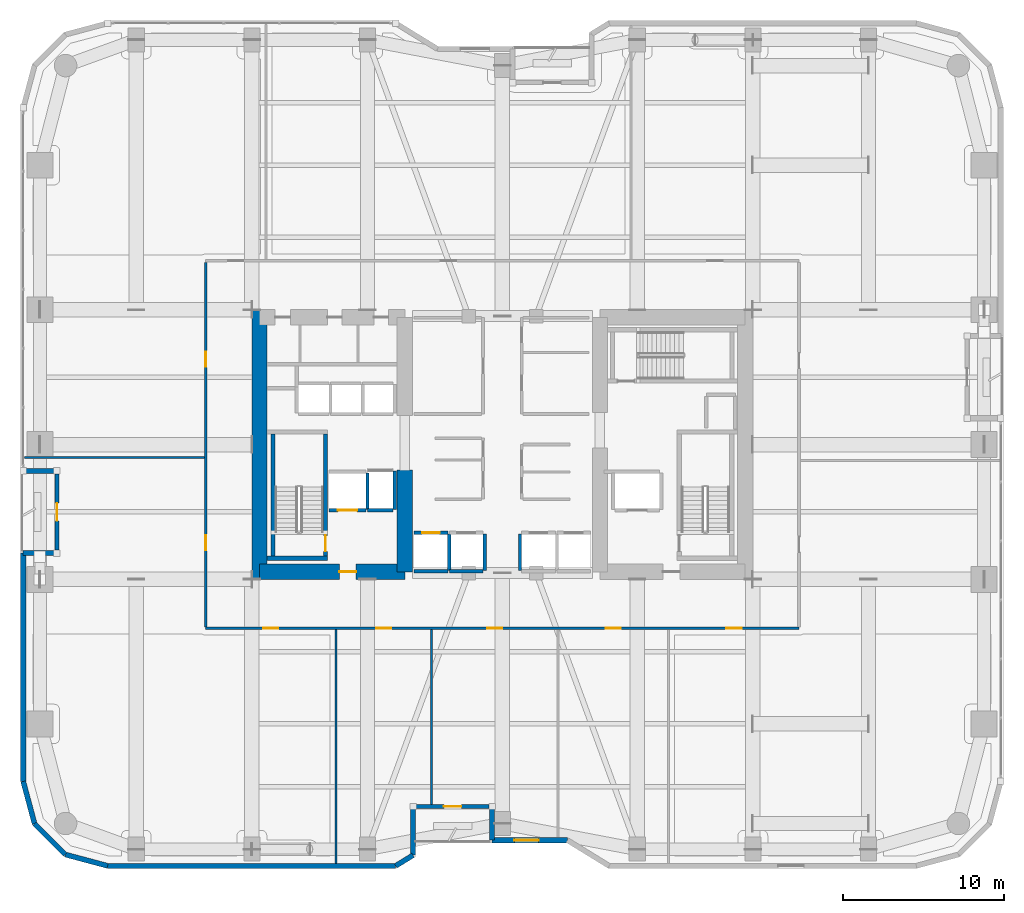
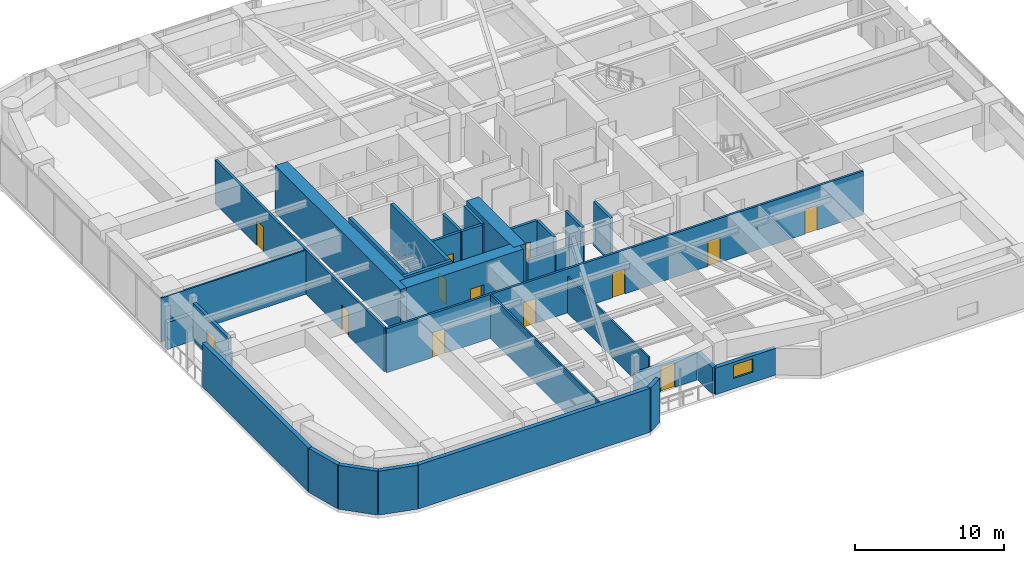
# One storey, part 22 of 28: 34 walls, 13 doors, 1 window, 14 openings.
"""IFC4 building model written with IfcOpenShell, lengths in metres."""

from ifc_helpers import new_model, si_unit, direction, frame, frame_2d, origin, place, context, subcontext, project, spatial, rectangle, extrude, material, layer, layer_set, type_object, element, fill, save


model = new_model("IFC4")

# Units and contexts
model_context = context("Model", 3, precision=1e-05, world=origin(), true_north=direction((0.0, 1.0)))
body_context = subcontext(model_context, "Body", "Model", "MODEL_VIEW")
ifc_project = project(units=[si_unit("LENGTHUNIT", "METRE"), si_unit("AREAUNIT", "SQUARE_METRE"), si_unit("VOLUMEUNIT", "CUBIC_METRE"), si_unit("PLANEANGLEUNIT", "RADIAN"), si_unit("MASSUNIT", "GRAM", prefix="KILO")], contexts=[model_context])

# Site, building, storey
site_placement = place(None, origin())
site = spatial("IfcSite", under=ifc_project, at=site_placement, CompositionType="ELEMENT")
building_placement = place(site_placement, origin())
building = spatial("IfcBuilding", under=site, at=building_placement, Name="Kiyonajd Concourse Tower", CompositionType="ELEMENT")
storey_placement = place(building_placement, frame((0.0, 0.0, 76.800048828125)))
storey = spatial("IfcBuildingStorey", under=building, at=storey_placement, Name="L20", CompositionType="ELEMENT", Elevation=76.800048828125)

# Walls
ifc_material_1 = material(Name="Concrete C80/95", Category="concrete")
ifc_layer_1 = layer(ifc_material_1, 0.949951171875)
ifc_layer_set_1 = layer_set([ifc_layer_1], Name="Concrete C80/95")
wall_type_1 = type_object("IfcWallType", Name="WL-CORE-950", PredefinedType="SHEAR", material=ifc_layer_set_1)
wall_1_placement = place(storey_placement, frame((32.875, 27.60009765625, 0.0), z_axis=(0.0, 0.0, 1.0), x_axis=(0.0, 1.0, 0.0)))
element("IfcWall", 1, at=wall_1_placement, inside=storey, type_object=wall_type_1, Name="L20 West Core Outer Shear Wall", PredefinedType="SHEAR", context=body_context, shape_type="SweptSolid", body=[
    extrude(rectangle(XDim=16.7998046875, YDim=0.949951171875, at=frame_2d((8.39990234375, 0.0))), origin(), (0.0, 0.0, 1.0), 3.89990234375),
])
wall_2_placement = place(storey_placement, frame((41.925048828125, 28.074951171875, 0.0), z_axis=(0.0, 0.0, 1.0), x_axis=(0.0, 1.0, 0.0)))
element("IfcWall", 2, at=wall_2_placement, inside=storey, type_object=wall_type_1, Name="L20 West Core Inner South Shear Wall", PredefinedType="SHEAR", context=body_context, shape_type="SweptSolid", body=[
    extrude(rectangle(XDim=6.324951171875, YDim=0.949951171875, at=frame_2d((3.16259765625, 0.0))), origin(), (0.0, 0.0, 1.0), 3.89990234375),
])

# Wall, opening, door
wall_3_placement = place(storey_placement, frame((32.875, 28.074951171875, 0.0), z_axis=(0.0, 0.0, 1.0), x_axis=(1.0, 0.0, 0.0)))
wall_3 = element("IfcWall", 3, at=wall_3_placement, inside=storey, type_object=wall_type_1, Name="L20 West Core South Shear Wall", PredefinedType="SHEAR", context=body_context, shape_type="SweptSolid", body=[
    extrude(rectangle(XDim=9.050048828125, YDim=0.949951171875, at=frame_2d((4.52490234375, 0.0))), origin(), (0.0, 0.0, 1.0), 3.89990234375),
])
opening_1_placement = place(wall_3_placement, frame((4.97509765625, 0.0, 0.0)))
opening_1 = element("IfcOpeningElement", 4, at=opening_1_placement, cuts=wall_3, Name="Opening DF5", PredefinedType="OPENING", context=body_context, shape_type="SweptSolid", body=[
    extrude(rectangle(XDim=1.050048828125, YDim=2.0400390625, at=frame_2d((0.52490234375, 1.02001953125))), frame((0.0, 0.48486328125, 0.0), z_axis=(0.0, -1.0, 0.0), x_axis=(1.0, 0.0, 0.0)), (0.0, 0.0, 1.0), 0.969970703125),
])
ifc_material_2 = material(Name="Brushed Stainless Steel Cab Assembly", Category="steel")
door_type_1 = type_object("IfcDoorType", Name="DR-FD45-1050", OperationType="NOTDEFINED", PredefinedType="DOOR", material=ifc_material_2)
door_1_placement = place(opening_1_placement, origin())
door_1 = element("IfcDoor", 5, at=door_1_placement, inside=storey, type_object=door_type_1, Name="L20 Firefighting Lift Lobby W Smoke Door", OperationType="SINGLE_SWING_LEFT", OverallHeight=2.0400390625, OverallWidth=1.050048828125, PredefinedType="DOOR", context=body_context, shape_type="SweptSolid", body=[
    extrude(rectangle(XDim=1.050048828125, YDim=2.0400390625, at=frame_2d((0.52490234375, 1.02001953125))), frame((0.0, 0.02490234375, 0.0), z_axis=(0.0, -1.0, 0.0), x_axis=(1.0, 0.0, 0.0)), (0.0, 0.0, 1.0), 0.050048828125),
])
fill(opening_1, door_1)

# Walls
ifc_material_3 = material(Name="Precast concrete C50/60", Category="concrete")
ifc_layer_2 = layer(ifc_material_3, 0.320068359375)
ifc_layer_set_2 = layer_set([ifc_layer_2], Name="Precast concrete C50/60")
wall_type_2 = type_object("IfcWallType", Name="WL-EXT-320", PredefinedType="SOLIDWALL", material=ifc_layer_set_2)
wall_4_placement = place(storey_placement, frame((18.866455078125, 12.3828125, 0.0), z_axis=(0.0, 0.0, 1.0), x_axis=(-0.25869736047, 0.965958423373, 0.0)))
element("IfcWall", 6, at=wall_4_placement, inside=storey, type_object=wall_type_2, Name="L20 Exterior Concrete Frame Wall 00", PredefinedType="SOLIDWALL", context=body_context, shape_type="SweptSolid", body=[
    extrude(rectangle(XDim=2.731201171875, YDim=0.320068359375, at=frame_2d((1.36572265625, 0.0))), origin(), (0.0, 0.0, 1.0), 3.599853515625),
])
wall_5_placement = place(storey_placement, frame((18.159912109375, 15.02099609375, 0.0), z_axis=(0.0, 0.0, 1.0), x_axis=(0.0, 1.0, 0.0)))
element("IfcWall", 7, at=wall_5_placement, inside=storey, type_object=wall_type_2, Name="L20 Exterior Concrete Frame Wall 01", PredefinedType="SOLIDWALL", context=body_context, shape_type="SweptSolid", body=[
    extrude(rectangle(XDim=14.218994140625, YDim=0.320068359375, at=frame_2d((7.109375, 0.0))), origin(), (0.0, 0.0, 1.0), 3.599853515625),
])
for number, where, z_axis, x_axis, name in (
    (8, (18.159912109375, 29.239990234375, 0.0), (0.0, 0.0, 1.0), (1.0, 0.0, 0.0), "L20 Exterior Concrete Frame Wall 02"),
    (9, (20.260009765625, 34.360107421875, 0.0), (0.0, 0.0, 1.0), (-1.0, 0.0, 0.0), "L20 Exterior Concrete Frame Wall 04"),
):
    element("IfcWall", number, at=place(storey_placement, frame(where, z_axis=z_axis, x_axis=x_axis)), inside=storey, type_object=wall_type_2, Name=name, PredefinedType="SOLIDWALL", context=body_context, shape_type="SweptSolid", body=[
        extrude(rectangle(XDim=2.10009765625, YDim=0.320068359375, at=frame_2d((1.050048828125, 0.0))), origin(), (0.0, 0.0, 1.0), 2.18505859375),
    ])

# Wall, opening, window
wall_6_placement = place(storey_placement, frame((52.04541015625, 11.360107421875, 0.0), z_axis=(0.0, 0.0, 1.0), x_axis=(-1.0, 0.0, 0.0)))
wall_6 = element("IfcWall", 10, at=wall_6_placement, inside=storey, type_object=wall_type_2, Name="L20 Exterior Concrete Frame Wall 30", PredefinedType="SOLIDWALL", context=body_context, shape_type="SweptSolid", body=[
    extrude(rectangle(XDim=4.685302734375, YDim=0.320068359375, at=frame_2d((2.3427734375, 0.0))), origin(), (0.0, 0.0, 1.0), 2.18505859375),
])
opening_2_placement = place(wall_6_placement, frame((1.794921875, 0.0, 0.85009765625)))
opening_2 = element("IfcOpeningElement", 11, at=opening_2_placement, cuts=wall_6, Name="Opening WN2", PredefinedType="OPENING", context=body_context, shape_type="SweptSolid", body=[
    extrude(rectangle(XDim=1.5, YDim=1.10009765625, at=frame_2d((0.75, 0.550048828125))), frame((0.0, 0.169921875, 0.0), z_axis=(0.0, -1.0, 0.0), x_axis=(1.0, 0.0, 0.0)), (0.0, 0.0, 1.0), 0.340087890625),
])
ifc_material_4 = material(Name="Double Low-E Insulated Glass", Category="glass")
window_type = type_object("IfcWindowType", Name="WN-VIS-1500x1100", PartitioningType="SINGLE_PANEL", PredefinedType="WINDOW", material=ifc_material_4)
window_placement = place(opening_2_placement, origin())
window = element("IfcWindow", 12, at=window_placement, inside=storey, type_object=window_type, Name="L20 Modular Facade Vision Window 30", OverallHeight=1.10009765625, OverallWidth=1.5, PartitioningType="SINGLE_PANEL", PredefinedType="WINDOW", context=body_context, shape_type="SweptSolid", body=[
    extrude(rectangle(XDim=1.5, YDim=1.10009765625, at=frame_2d((0.75, 0.550048828125))), frame((0.0, 0.030029296875, 0.0), z_axis=(0.0, -1.0, 0.0), x_axis=(1.0, 0.0, 0.0)), (0.0, 0.0, 1.0), 0.06005859375),
])
fill(opening_2, window)

# Walls
wall_7_placement = place(storey_placement, frame((47.360107421875, 11.360107421875, 0.0), z_axis=(0.0, 0.0, 1.0), x_axis=(0.0, 1.0, 0.0)))
element("IfcWall", 13, at=wall_7_placement, inside=storey, type_object=wall_type_2, Name="L20 Exterior Concrete Frame Wall 31", PredefinedType="SOLIDWALL", context=body_context, shape_type="SweptSolid", body=[
    extrude(rectangle(XDim=2.099853515625, YDim=0.320068359375, at=frame_2d((1.0498046875, 0.0))), origin(), (0.0, 0.0, 1.0), 2.18505859375),
])
wall_8_placement = place(storey_placement, frame((42.43994140625, 13.4599609375, 0.0), z_axis=(0.0, 0.0, 1.0), x_axis=(0.0, -1.0, 0.0)))
element("IfcWall", 14, at=wall_8_placement, inside=storey, type_object=wall_type_2, Name="L20 Exterior Concrete Frame Wall 33", PredefinedType="SOLIDWALL", context=body_context, shape_type="SweptSolid", body=[
    extrude(rectangle(XDim=3.032470703125, YDim=0.320068359375, at=frame_2d((1.51611328125, 0.0))), origin(), (0.0, 0.0, 1.0), 2.18505859375),
])
wall_9_placement = place(storey_placement, frame((42.43994140625, 10.427490234375, 0.0), z_axis=(0.0, 0.0, 1.0), x_axis=(-0.851776724646, -0.523904964045, 0.0)))
element("IfcWall", 15, at=wall_9_placement, inside=storey, type_object=wall_type_2, Name="L20 Exterior Concrete Frame Wall 34", PredefinedType="SOLIDWALL", context=body_context, shape_type="SweptSolid", body=[
    extrude(rectangle(XDim=1.274169921875, YDim=0.320068359375, at=frame_2d((0.63720703125, 0.0))), origin(), (0.0, 0.0, 1.0), 3.599853515625),
])
wall_10_placement = place(storey_placement, frame((41.354736328125, 9.760009765625, 0.0), z_axis=(0.0, 0.0, 1.0), x_axis=(-1.0, 0.0, 0.0)))
element("IfcWall", 16, at=wall_10_placement, inside=storey, type_object=wall_type_2, Name="L20 Exterior Concrete Frame Wall 35", PredefinedType="SOLIDWALL", context=body_context, shape_type="SweptSolid", body=[
    extrude(rectangle(XDim=17.93359375, YDim=0.320068359375, at=frame_2d((8.966796875, 0.0))), origin(), (0.0, 0.0, 1.0), 3.599853515625),
])
wall_11_placement = place(storey_placement, frame((23.421142578125, 9.760009765625, 0.0), z_axis=(0.0, 0.0, 1.0), x_axis=(-0.965964405026, 0.25867502435, 0.0)))
element("IfcWall", 17, at=wall_11_placement, inside=storey, type_object=wall_type_2, Name="L20 Exterior Concrete Frame Wall 36", PredefinedType="SOLIDWALL", context=body_context, shape_type="SweptSolid", body=[
    extrude(rectangle(XDim=2.7314453125, YDim=0.320068359375, at=frame_2d((1.36572265625, 0.0))), origin(), (0.0, 0.0, 1.0), 3.599853515625),
])
wall_12_placement = place(storey_placement, frame((20.78271484375, 10.466552734375, 0.0), z_axis=(0.0, 0.0, 1.0), x_axis=(-0.707106781187, 0.707106781187, 0.0)))
element("IfcWall", 18, at=wall_12_placement, inside=storey, type_object=wall_type_2, Name="L20 Exterior Concrete Frame Wall 37", PredefinedType="SOLIDWALL", context=body_context, shape_type="SweptSolid", body=[
    extrude(rectangle(XDim=2.7099609375, YDim=0.320068359375, at=frame_2d((1.35498046875, 0.0))), origin(), (0.0, 0.0, 1.0), 3.599853515625),
])

# Wall, opening, door
ifc_layer_3 = layer(ifc_material_3, 0.239990234375)
ifc_layer_set_3 = layer_set([ifc_layer_3], Name="Precast concrete C50/60")
wall_type_3 = type_object("IfcWallType", Name="WL-LOG-240", PredefinedType="SOLIDWALL", material=ifc_layer_set_3)
wall_13_placement = place(storey_placement, frame((20.260009765625, 29.43505859375, 0.0), z_axis=(0.0, 0.0, 1.0), x_axis=(0.0, 1.0, 0.0)))
wall_13 = element("IfcWall", 19, at=wall_13_placement, inside=storey, type_object=wall_type_3, Name="L20 Recessed Loggia Thermal Wall LOG-W", PredefinedType="SOLIDWALL", context=body_context, shape_type="SweptSolid", body=[
    extrude(rectangle(XDim=4.72998046875, YDim=0.239990234375, at=frame_2d((2.364990234375, 0.0))), origin(), (0.0, 0.0, 1.0), 3.1220703125),
])
opening_3_placement = place(wall_13_placement, frame((1.81494140625, 0.0, 0.0)))
opening_3 = element("IfcOpeningElement", 20, at=opening_3_placement, cuts=wall_13, Name="Opening DL2", PredefinedType="OPENING", context=body_context, shape_type="SweptSolid", body=[
    extrude(rectangle(XDim=1.10009765625, YDim=2.0400390625, at=frame_2d((0.550048828125, 1.02001953125))), frame((0.0, 0.1298828125, 0.0), z_axis=(0.0, -1.0, 0.0), x_axis=(1.0, 0.0, 0.0)), (0.0, 0.0, 1.0), 0.260009765625),
])
ifc_material_5 = material(Name="Thermally Broken Anodised Aluminium", Category="aluminium")
door_type_2 = type_object("IfcDoorType", Name="DR-LOG-1100", OperationType="NOTDEFINED", PredefinedType="DOOR", material=ifc_material_5)
door_2_placement = place(opening_3_placement, origin())
door_2 = element("IfcDoor", 21, at=door_2_placement, inside=storey, type_object=door_type_2, Name="L20 Engawa Loggia Access Door LOG-W", OperationType="SINGLE_SWING_LEFT", OverallHeight=2.0400390625, OverallWidth=1.10009765625, PredefinedType="DOOR", context=body_context, shape_type="SweptSolid", body=[
    extrude(rectangle(XDim=1.10009765625, YDim=2.0400390625, at=frame_2d((0.550048828125, 1.02001953125))), frame((0.0, 0.02490234375, 0.0), z_axis=(0.0, -1.0, 0.0), x_axis=(1.0, 0.0, 0.0)), (0.0, 0.0, 1.0), 0.050048828125),
])
fill(opening_3, door_2)

wall_14_placement = place(storey_placement, frame((47.1650390625, 13.4599609375, 0.0), z_axis=(0.0, 0.0, 1.0), x_axis=(-1.0, 0.0, 0.0)))
wall_14 = element("IfcWall", 22, at=wall_14_placement, inside=storey, type_object=wall_type_3, Name="L20 Recessed Loggia Thermal Wall LOG-S", PredefinedType="SOLIDWALL", context=body_context, shape_type="SweptSolid", body=[
    extrude(rectangle(XDim=4.530029296875, YDim=0.239990234375, at=frame_2d((2.26513671875, 0.0))), origin(), (0.0, 0.0, 1.0), 2.18505859375),
])
opening_4_placement = place(wall_14_placement, frame((1.715087890625, 0.0, 0.0)))
opening_4 = element("IfcOpeningElement", 23, at=opening_4_placement, cuts=wall_14, Name="Opening DL2", PredefinedType="OPENING", context=body_context, shape_type="SweptSolid", body=[
    extrude(rectangle(XDim=1.10009765625, YDim=2.0400390625, at=frame_2d((0.550048828125, 1.02001953125))), frame((0.0, 0.1298828125, 0.0), z_axis=(0.0, -1.0, 0.0), x_axis=(1.0, 0.0, 0.0)), (0.0, 0.0, 1.0), 0.260009765625),
])
door_3_placement = place(opening_4_placement, origin())
door_3 = element("IfcDoor", 24, at=door_3_placement, inside=storey, type_object=door_type_2, Name="L20 Engawa Loggia Access Door LOG-S", OperationType="SINGLE_SWING_RIGHT", OverallHeight=2.0400390625, OverallWidth=1.10009765625, PredefinedType="DOOR", context=body_context, shape_type="SweptSolid", body=[
    extrude(rectangle(XDim=1.10009765625, YDim=2.0400390625, at=frame_2d((0.550048828125, 1.02001953125))), frame((0.0, 0.02490234375, 0.0), z_axis=(0.0, -1.0, 0.0), x_axis=(1.0, 0.0, 0.0)), (0.0, 0.0, 1.0), 0.050048828125),
])
fill(opening_4, door_3)

# Walls
ifc_material_6 = material(Name="Gypsum Board on Cold-Formed Steel Stud", Category="steel")
ifc_layer_4 = layer(ifc_material_6, 0.125)
ifc_layer_set_4 = layer_set([ifc_layer_4], Name="Gypsum Board on Cold-Formed Steel Stud")
wall_type_4 = type_object("IfcWallType", Name="WL-PART-125", PredefinedType="PARTITIONING", material=ifc_layer_set_4)
wall_15_placement = place(storey_placement, frame((37.6298828125, 9.9150390625, 0.0), z_axis=(0.0, 0.0, 1.0), x_axis=(0.0, 1.0, 0.0)))
element("IfcWall", 25, at=wall_15_placement, inside=storey, type_object=wall_type_4, Name="L20 Interior Partition Wall", PredefinedType="PARTITIONING", context=body_context, shape_type="SweptSolid", body=[
    extrude(rectangle(XDim=14.557861328125, YDim=0.125, at=frame_2d((7.27880859375, 0.0))), origin(), (0.0, 0.0, 1.0), 3.599853515625),
])
wall_16_placement = place(storey_placement, frame((43.60009765625, 13.574951171875, 0.0), z_axis=(0.0, 0.0, 1.0), x_axis=(0.0, 1.0, 0.0)))
element("IfcWall", 26, at=wall_16_placement, inside=storey, type_object=wall_type_4, Name="L20 Interior Partition Wall", PredefinedType="PARTITIONING", context=body_context, shape_type="SweptSolid", body=[
    extrude(rectangle(XDim=10.89794921875, YDim=0.125, at=frame_2d((5.448974609375, 0.0))), origin(), (0.0, 0.0, 1.0), 2.962890625),
])
wall_17_placement = place(storey_placement, frame((18.2451171875, 35.199951171875, 0.0), z_axis=(0.0, 0.0, 1.0), x_axis=(1.0, 0.0, 0.0)))
element("IfcWall", 27, at=wall_17_placement, inside=storey, type_object=wall_type_4, Name="L20 Interior Partition Wall", PredefinedType="PARTITIONING", context=body_context, shape_type="SweptSolid", body=[
    extrude(rectangle(XDim=11.19287109375, YDim=0.125, at=frame_2d((5.596435546875, 0.0))), origin(), (0.0, 0.0, 1.0), 3.599853515625),
])

# Wall, opening, door
ifc_layer_5 = layer(ifc_material_6, 0.2099609375)
ifc_layer_set_5 = layer_set([ifc_layer_5], Name="Gypsum Board on Cold-Formed Steel Stud")
wall_type_5 = type_object("IfcWallType", Name="WL-SHAFT-210", PredefinedType="PARTITIONING", material=ifc_layer_set_5)
wall_18_placement = place(storey_placement, frame((37.199951171875, 31.89990234375, 0.0), z_axis=(0.0, 0.0, 1.0), x_axis=(1.0, 0.0, 0.0)))
wall_18 = element("IfcWall", 28, at=wall_18_placement, inside=storey, type_object=wall_type_5, Name="L20 Shaft Enclosure Wall", PredefinedType="PARTITIONING", context=body_context, shape_type="SweptSolid", body=[
    extrude(rectangle(XDim=2.300048828125, YDim=0.2099609375, at=frame_2d((1.14990234375, 0.0))), origin(), (0.0, 0.0, 1.0), 3.599853515625),
])
opening_5_placement = place(wall_18_placement, frame((0.550048828125, 0.0, 0.0)))
opening_5 = element("IfcOpeningElement", 29, at=opening_5_placement, cuts=wall_18, Name="Opening LD2", PredefinedType="OPENING", context=body_context, shape_type="SweptSolid", body=[
    extrude(rectangle(XDim=1.199951171875, YDim=2.0400390625, at=frame_2d((0.60009765625, 1.02001953125))), frame((0.0, 0.114990234375, 0.0), z_axis=(0.0, -1.0, 0.0), x_axis=(1.0, 0.0, 0.0)), (0.0, 0.0, 1.0), 0.22998046875),
])
door_type_3 = type_object("IfcDoorType", Name="DR-LD-1200", OperationType="DOUBLE_DOOR_SLIDING", PredefinedType="DOOR", material=ifc_material_2)
door_4_placement = place(opening_5_placement, origin())
door_4 = element("IfcDoor", 30, at=door_4_placement, inside=storey, type_object=door_type_3, Name="L20 Lift FFL1 Sliding Landing Door", OperationType="DOUBLE_DOOR_SLIDING", OverallHeight=2.0400390625, OverallWidth=1.199951171875, PredefinedType="DOOR", context=body_context, shape_type="SweptSolid", body=[
    extrude(rectangle(XDim=1.199951171875, YDim=2.0400390625, at=frame_2d((0.60009765625, 1.02001953125))), frame((0.0, 0.02490234375, 0.0), z_axis=(0.0, -1.0, 0.0), x_axis=(1.0, 0.0, 0.0)), (0.0, 0.0, 1.0), 0.050048828125),
])
fill(opening_5, door_4)

# Walls
wall_19_placement = place(storey_placement, frame((39.60009765625, 31.9599609375, 0.0), z_axis=(0.0, 0.0, 1.0), x_axis=(0.0, 1.0, 0.0)))
element("IfcWall", 31, at=wall_19_placement, inside=storey, type_object=wall_type_5, Name="L20 Shaft Enclosure Wall", PredefinedType="PARTITIONING", context=body_context, shape_type="SweptSolid", body=[
    extrude(rectangle(XDim=2.280029296875, YDim=0.2099609375, at=frame_2d((1.14013671875, 0.0))), origin(), (0.0, 0.0, 1.0), 3.599853515625),
])
wall_20_placement = place(storey_placement, frame((39.60009765625, 31.89990234375, 0.0), z_axis=(0.0, 0.0, 1.0), x_axis=(1.0, 0.0, 0.0)))
element("IfcWall", 32, at=wall_20_placement, inside=storey, type_object=wall_type_5, Name="L20 Shaft Enclosure Wall", PredefinedType="PARTITIONING", context=body_context, shape_type="SweptSolid", body=[
    extrude(rectangle(XDim=1.599853515625, YDim=0.2099609375, at=frame_2d((0.7998046875, 0.0))), origin(), (0.0, 0.0, 1.0), 3.599853515625),
])
wall_21_placement = place(storey_placement, frame((41.300048828125, 31.9599609375, 0.0), z_axis=(0.0, 0.0, 1.0), x_axis=(0.0, 1.0, 0.0)))
element("IfcWall", 33, at=wall_21_placement, inside=storey, type_object=wall_type_5, Name="L20 Shaft Enclosure Wall", PredefinedType="PARTITIONING", context=body_context, shape_type="SweptSolid", body=[
    extrude(rectangle(XDim=2.380126953125, YDim=0.2099609375, at=frame_2d((1.18994140625, 0.0))), origin(), (0.0, 0.0, 1.0), 3.599853515625),
])

# Wall, opening, door
wall_22_placement = place(storey_placement, frame((42.5, 30.5, 0.0), z_axis=(0.0, 0.0, 1.0), x_axis=(1.0, 0.0, 0.0)))
wall_22 = element("IfcWall", 34, at=wall_22_placement, inside=storey, type_object=wall_type_5, Name="L20 Shaft Enclosure Wall", PredefinedType="PARTITIONING", context=body_context, shape_type="SweptSolid", body=[
    extrude(rectangle(XDim=2.10009765625, YDim=0.2099609375, at=frame_2d((1.050048828125, 0.0))), origin(), (0.0, 0.0, 1.0), 3.599853515625),
])
opening_6_placement = place(wall_22_placement, frame((0.5, 0.0, 0.0)))
opening_6 = element("IfcOpeningElement", 35, at=opening_6_placement, cuts=wall_22, Name="Opening LD1", PredefinedType="OPENING", context=body_context, shape_type="SweptSolid", body=[
    extrude(rectangle(XDim=1.10009765625, YDim=2.0400390625, at=frame_2d((0.550048828125, 1.02001953125))), frame((0.0, 0.114990234375, 0.0), z_axis=(0.0, -1.0, 0.0), x_axis=(1.0, 0.0, 0.0)), (0.0, 0.0, 1.0), 0.22998046875),
])
door_type_4 = type_object("IfcDoorType", Name="DR-LD-1100", OperationType="DOUBLE_DOOR_SLIDING", PredefinedType="DOOR", material=ifc_material_2)
door_5_placement = place(opening_6_placement, origin())
door_5 = element("IfcDoor", 36, at=door_5_placement, inside=storey, type_object=door_type_4, Name="L20 Lift PL-L1 Sliding Landing Door", OperationType="DOUBLE_DOOR_SLIDING", OverallHeight=2.0400390625, OverallWidth=1.10009765625, PredefinedType="DOOR", context=body_context, shape_type="SweptSolid", body=[
    extrude(rectangle(XDim=1.10009765625, YDim=2.0400390625, at=frame_2d((0.550048828125, 1.02001953125))), frame((0.0, 0.02490234375, 0.0), z_axis=(0.0, -1.0, 0.0), x_axis=(1.0, 0.0, 0.0)), (0.0, 0.0, 1.0), 0.050048828125),
])
fill(opening_6, door_5)

# Walls
wall_23_placement = place(storey_placement, frame((42.5, 28.10009765625, 0.0), z_axis=(0.0, 0.0, 1.0), x_axis=(1.0, 0.0, 0.0)))
element("IfcWall", 37, at=wall_23_placement, inside=storey, type_object=wall_type_5, Name="L20 Shaft Enclosure Wall", PredefinedType="PARTITIONING", context=body_context, shape_type="SweptSolid", body=[
    extrude(rectangle(XDim=2.10009765625, YDim=0.2099609375, at=frame_2d((1.050048828125, 0.0))), origin(), (0.0, 0.0, 1.0), 2.48486328125),
])
wall_24_placement = place(storey_placement, frame((44.699951171875, 28.159912109375, 0.0), z_axis=(0.0, 0.0, 1.0), x_axis=(0.0, 1.0, 0.0)))
element("IfcWall", 38, at=wall_24_placement, inside=storey, type_object=wall_type_5, Name="L20 Shaft Enclosure Wall", PredefinedType="PARTITIONING", context=body_context, shape_type="SweptSolid", body=[
    extrude(rectangle(XDim=2.280029296875, YDim=0.2099609375, at=frame_2d((1.14013671875, 0.0))), origin(), (0.0, 0.0, 1.0), 3.599853515625),
])
wall_25_placement = place(storey_placement, frame((44.699951171875, 28.10009765625, 0.0), z_axis=(0.0, 0.0, 1.0), x_axis=(1.0, 0.0, 0.0)))
element("IfcWall", 39, at=wall_25_placement, inside=storey, type_object=wall_type_5, Name="L20 Shaft Enclosure Wall", PredefinedType="PARTITIONING", context=body_context, shape_type="SweptSolid", body=[
    extrude(rectangle(XDim=2.10009765625, YDim=0.2099609375, at=frame_2d((1.050048828125, 0.0))), origin(), (0.0, 0.0, 1.0), 2.48486328125),
])
for number, where, z_axis, x_axis, name in (
    (40, (46.89990234375, 28.159912109375, 0.0), (0.0, 0.0, 1.0), (0.0, 1.0, 0.0), "L20 Shaft Enclosure Wall"),
    (41, (49.10009765625, 28.159912109375, 0.0), (0.0, 0.0, 1.0), (0.0, 1.0, 0.0), "L20 Shaft Enclosure Wall"),
):
    element("IfcWall", number, at=place(storey_placement, frame(where, z_axis=z_axis, x_axis=x_axis)), inside=storey, type_object=wall_type_5, Name=name, PredefinedType="PARTITIONING", context=body_context, shape_type="SweptSolid", body=[
        extrude(rectangle(XDim=2.280029296875, YDim=0.2099609375, at=frame_2d((1.14013671875, 0.0))), origin(), (0.0, 0.0, 1.0), 3.599853515625),
    ])

# Wall, openings, doors
ifc_layer_6 = layer(ifc_material_6, 0.169921875)
ifc_layer_set_6 = layer_set([ifc_layer_6], Name="Gypsum Board on Cold-Formed Steel Stud")
wall_type_6 = type_object("IfcWallType", Name="WL-SMK-170", PredefinedType="PARTITIONING", material=ifc_layer_set_6)
wall_26_placement = place(storey_placement, frame((29.52490234375, 24.56005859375, 0.0), z_axis=(0.0, 0.0, 1.0), x_axis=(1.0, 0.0, 0.0)))
wall_26 = element("IfcWall", 42, at=wall_26_placement, inside=storey, type_object=wall_type_6, Name="L20 Interior Partition Wall", PredefinedType="PARTITIONING", context=body_context, shape_type="SweptSolid", body=[
    extrude(rectangle(XDim=36.9501953125, YDim=0.169921875, at=frame_2d((18.47509765625, 0.0))), origin(), (0.0, 0.0, 1.0), 3.599853515625),
])
opening_7_placement = place(wall_26_placement, frame((3.577880859375, 0.0, 0.0)))
opening_7 = element("IfcOpeningElement", 43, at=opening_7_placement, cuts=wall_26, Name="Opening DI1", PredefinedType="OPENING", context=body_context, shape_type="SweptSolid", body=[
    extrude(rectangle(XDim=0.949951171875, YDim=2.0400390625, at=frame_2d((0.47509765625, 1.02001953125))), frame((0.0, 0.094970703125, 0.0), z_axis=(0.0, -1.0, 0.0), x_axis=(1.0, 0.0, 0.0)), (0.0, 0.0, 1.0), 0.18994140625),
])
opening_8_placement = place(wall_26_placement, frame((10.614990234375, 0.0, 0.0)))
opening_8 = element("IfcOpeningElement", 44, at=opening_8_placement, cuts=wall_26, Name="Opening DI1", PredefinedType="OPENING", context=body_context, shape_type="SweptSolid", body=[
    extrude(rectangle(XDim=0.949951171875, YDim=2.0400390625, at=frame_2d((0.47509765625, 1.02001953125))), frame((0.0, 0.094970703125, 0.0), z_axis=(0.0, -1.0, 0.0), x_axis=(1.0, 0.0, 0.0)), (0.0, 0.0, 1.0), 0.18994140625),
])
opening_9_placement = place(wall_26_placement, frame((17.52490234375, 0.0, 0.0)))
opening_9 = element("IfcOpeningElement", 45, at=opening_9_placement, cuts=wall_26, Name="Opening DI1", PredefinedType="OPENING", context=body_context, shape_type="SweptSolid", body=[
    extrude(rectangle(XDim=0.949951171875, YDim=2.0400390625, at=frame_2d((0.47509765625, 1.02001953125))), frame((0.0, 0.094970703125, 0.0), z_axis=(0.0, -1.0, 0.0), x_axis=(1.0, 0.0, 0.0)), (0.0, 0.0, 1.0), 0.18994140625),
])
opening_10_placement = place(wall_26_placement, frame((24.905029296875, 0.0, 0.0)))
opening_10 = element("IfcOpeningElement", 46, at=opening_10_placement, cuts=wall_26, Name="Opening DI1", PredefinedType="OPENING", context=body_context, shape_type="SweptSolid", body=[
    extrude(rectangle(XDim=0.949951171875, YDim=2.0400390625, at=frame_2d((0.47509765625, 1.02001953125))), frame((0.0, 0.094970703125, 0.0), z_axis=(0.0, -1.0, 0.0), x_axis=(1.0, 0.0, 0.0)), (0.0, 0.0, 1.0), 0.18994140625),
])
opening_11_placement = place(wall_26_placement, frame((32.41796875, 0.0, 0.0)))
opening_11 = element("IfcOpeningElement", 47, at=opening_11_placement, cuts=wall_26, Name="Opening DI1", PredefinedType="OPENING", context=body_context, shape_type="SweptSolid", body=[
    extrude(rectangle(XDim=0.949951171875, YDim=2.0400390625, at=frame_2d((0.47509765625, 1.02001953125))), frame((0.0, 0.094970703125, 0.0), z_axis=(0.0, -1.0, 0.0), x_axis=(1.0, 0.0, 0.0)), (0.0, 0.0, 1.0), 0.18994140625),
])
ifc_material_7 = material(Name="Natural Oak Acoustic Timber Veneer", Category="wood")
door_type_5 = type_object("IfcDoorType", Name="DR-INT-950", OperationType="NOTDEFINED", PredefinedType="DOOR", material=ifc_material_7)
door_6_placement = place(opening_7_placement, origin())
door_6 = element("IfcDoor", 48, at=door_6_placement, inside=storey, type_object=door_type_5, Name="L20 Interior Door", OperationType="SINGLE_SWING_RIGHT", OverallHeight=2.0400390625, OverallWidth=0.949951171875, PredefinedType="DOOR", context=body_context, shape_type="SweptSolid", body=[
    extrude(rectangle(XDim=0.949951171875, YDim=2.0400390625, at=frame_2d((0.47509765625, 1.02001953125))), frame((0.0, 0.02490234375, 0.0), z_axis=(0.0, -1.0, 0.0), x_axis=(1.0, 0.0, 0.0)), (0.0, 0.0, 1.0), 0.050048828125),
])
fill(opening_7, door_6)
door_7_placement = place(opening_8_placement, origin())
door_7 = element("IfcDoor", 49, at=door_7_placement, inside=storey, type_object=door_type_5, Name="L20 Interior Door", OperationType="SINGLE_SWING_LEFT", OverallHeight=2.0400390625, OverallWidth=0.949951171875, PredefinedType="DOOR", context=body_context, shape_type="SweptSolid", body=[
    extrude(rectangle(XDim=0.949951171875, YDim=2.0400390625, at=frame_2d((0.47509765625, 1.02001953125))), frame((0.0, 0.02490234375, 0.0), z_axis=(0.0, -1.0, 0.0), x_axis=(1.0, 0.0, 0.0)), (0.0, 0.0, 1.0), 0.050048828125),
])
fill(opening_8, door_7)
door_8_placement = place(opening_9_placement, origin())
door_8 = element("IfcDoor", 50, at=door_8_placement, inside=storey, type_object=door_type_5, Name="L20 Interior Door", OperationType="SINGLE_SWING_RIGHT", OverallHeight=2.0400390625, OverallWidth=0.949951171875, PredefinedType="DOOR", context=body_context, shape_type="SweptSolid", body=[
    extrude(rectangle(XDim=0.949951171875, YDim=2.0400390625, at=frame_2d((0.47509765625, 1.02001953125))), frame((0.0, 0.02490234375, 0.0), z_axis=(0.0, -1.0, 0.0), x_axis=(1.0, 0.0, 0.0)), (0.0, 0.0, 1.0), 0.050048828125),
])
fill(opening_9, door_8)
door_9_placement = place(opening_10_placement, origin())
door_9 = element("IfcDoor", 51, at=door_9_placement, inside=storey, type_object=door_type_5, Name="L20 Interior Door", OperationType="SINGLE_SWING_LEFT", OverallHeight=2.0400390625, OverallWidth=0.949951171875, PredefinedType="DOOR", context=body_context, shape_type="SweptSolid", body=[
    extrude(rectangle(XDim=0.949951171875, YDim=2.0400390625, at=frame_2d((0.47509765625, 1.02001953125))), frame((0.0, 0.02490234375, 0.0), z_axis=(0.0, -1.0, 0.0), x_axis=(1.0, 0.0, 0.0)), (0.0, 0.0, 1.0), 0.050048828125),
])
fill(opening_10, door_9)
door_10_placement = place(opening_11_placement, origin())
door_10 = element("IfcDoor", 52, at=door_10_placement, inside=storey, type_object=door_type_5, Name="L20 Interior Door", OperationType="SINGLE_SWING_RIGHT", OverallHeight=2.0400390625, OverallWidth=0.949951171875, PredefinedType="DOOR", context=body_context, shape_type="SweptSolid", body=[
    extrude(rectangle(XDim=0.949951171875, YDim=2.0400390625, at=frame_2d((0.47509765625, 1.02001953125))), frame((0.0, 0.02490234375, 0.0), z_axis=(0.0, -1.0, 0.0), x_axis=(1.0, 0.0, 0.0)), (0.0, 0.0, 1.0), 0.050048828125),
])
fill(opening_11, door_10)

wall_27_placement = place(storey_placement, frame((29.52490234375, 24.64697265625, 0.0), z_axis=(0.0, 0.0, 1.0), x_axis=(0.0, 1.0, 0.0)))
wall_27 = element("IfcWall", 53, at=wall_27_placement, inside=storey, type_object=wall_type_6, Name="L20 Interior Partition Wall", PredefinedType="PARTITIONING", context=body_context, shape_type="SweptSolid", body=[
    extrude(rectangle(XDim=22.7060546875, YDim=0.169921875, at=frame_2d((11.35302734375, 0.0))), origin(), (0.0, 0.0, 1.0), 3.599853515625),
])
opening_12_placement = place(wall_27_placement, frame((4.758056640625, 0.0, 0.0)))
opening_12 = element("IfcOpeningElement", 54, at=opening_12_placement, cuts=wall_27, Name="Opening DI1", PredefinedType="OPENING", context=body_context, shape_type="SweptSolid", body=[
    extrude(rectangle(XDim=0.949951171875, YDim=2.0400390625, at=frame_2d((0.47509765625, 1.02001953125))), frame((0.0, 0.094970703125, 0.0), z_axis=(0.0, -1.0, 0.0), x_axis=(1.0, 0.0, 0.0)), (0.0, 0.0, 1.0), 0.18994140625),
])
opening_13_placement = place(wall_27_placement, frame((16.197998046875, 0.0, 0.0)))
opening_13 = element("IfcOpeningElement", 55, at=opening_13_placement, cuts=wall_27, Name="Opening DI1", PredefinedType="OPENING", context=body_context, shape_type="SweptSolid", body=[
    extrude(rectangle(XDim=0.949951171875, YDim=2.0400390625, at=frame_2d((0.47509765625, 1.02001953125))), frame((0.0, 0.094970703125, 0.0), z_axis=(0.0, -1.0, 0.0), x_axis=(1.0, 0.0, 0.0)), (0.0, 0.0, 1.0), 0.18994140625),
])
door_11_placement = place(opening_12_placement, origin())
door_11 = element("IfcDoor", 56, at=door_11_placement, inside=storey, type_object=door_type_5, Name="L20 Interior Door", OperationType="SINGLE_SWING_RIGHT", OverallHeight=2.0400390625, OverallWidth=0.949951171875, PredefinedType="DOOR", context=body_context, shape_type="SweptSolid", body=[
    extrude(rectangle(XDim=0.949951171875, YDim=2.0400390625, at=frame_2d((0.47509765625, 1.02001953125))), frame((0.0, 0.02490234375, 0.0), z_axis=(0.0, -1.0, 0.0), x_axis=(1.0, 0.0, 0.0)), (0.0, 0.0, 1.0), 0.050048828125),
])
fill(opening_12, door_11)
door_12_placement = place(opening_13_placement, origin())
door_12 = element("IfcDoor", 57, at=door_12_placement, inside=storey, type_object=door_type_5, Name="L20 Interior Door", OperationType="SINGLE_SWING_LEFT", OverallHeight=2.0400390625, OverallWidth=0.949951171875, PredefinedType="DOOR", context=body_context, shape_type="SweptSolid", body=[
    extrude(rectangle(XDim=0.949951171875, YDim=2.0400390625, at=frame_2d((0.47509765625, 1.02001953125))), frame((0.0, 0.02490234375, 0.0), z_axis=(0.0, -1.0, 0.0), x_axis=(1.0, 0.0, 0.0)), (0.0, 0.0, 1.0), 0.050048828125),
])
fill(opening_13, door_12)

# Walls
ifc_material_8 = material(Name="Concrete C50/60", Category="concrete")
ifc_layer_7 = layer(ifc_material_8, 0.260009765625)
ifc_layer_set_7 = layer_set([ifc_layer_7], Name="Concrete C50/60")
wall_type_7 = type_object("IfcWallType", Name="WL-STAIR-260", PredefinedType="SHEAR", material=ifc_layer_set_7)
wall_28_placement = place(storey_placement, frame((33.35009765625, 28.919921875, 0.0), z_axis=(0.0, 0.0, 1.0), x_axis=(1.0, 0.0, 0.0)))
element("IfcWall", 58, at=wall_28_placement, inside=storey, type_object=wall_type_7, Name="L20 Stair ST1 Structural South Wall", PredefinedType="SHEAR", context=body_context, shape_type="SweptSolid", body=[
    extrude(rectangle(XDim=3.760009765625, YDim=0.260009765625, at=frame_2d((1.8798828125, 0.0))), origin(), (0.0, 0.0, 1.0), 3.89990234375),
])
wall_29_placement = place(storey_placement, frame((33.719970703125, 29.050048828125, 0.0), z_axis=(0.0, 0.0, 1.0), x_axis=(0.0, 1.0, 0.0)))
element("IfcWall", 59, at=wall_29_placement, inside=storey, type_object=wall_type_7, Name="L20 Stair ST1 Structural West Wall", PredefinedType="SHEAR", context=body_context, shape_type="SweptSolid", body=[
    extrude(rectangle(XDim=7.599853515625, YDim=0.260009765625, at=frame_2d((3.7998046875, 0.0))), origin(), (0.0, 0.0, 1.0), 3.89990234375),
])

# Wall, opening, door
wall_30_placement = place(storey_placement, frame((36.97998046875, 29.050048828125, 0.0), z_axis=(0.0, 0.0, 1.0), x_axis=(0.0, 1.0, 0.0)))
wall_30 = element("IfcWall", 60, at=wall_30_placement, inside=storey, type_object=wall_type_7, Name="L20 Stair ST1 Structural East Wall", PredefinedType="SHEAR", context=body_context, shape_type="SweptSolid", body=[
    extrude(rectangle(XDim=7.599853515625, YDim=0.260009765625, at=frame_2d((3.7998046875, 0.0))), origin(), (0.0, 0.0, 1.0), 3.89990234375),
])
opening_14_placement = place(wall_30_placement, frame((0.300048828125, 0.0, 0.0)))
opening_14 = element("IfcOpeningElement", 61, at=opening_14_placement, cuts=wall_30, Name="Opening DF1", PredefinedType="OPENING", context=body_context, shape_type="SweptSolid", body=[
    extrude(rectangle(XDim=1.0, YDim=2.0400390625, at=frame_2d((0.5, 1.02001953125))), frame((0.0, 0.139892578125, 0.0), z_axis=(0.0, -1.0, 0.0), x_axis=(1.0, 0.0, 0.0)), (0.0, 0.0, 1.0), 0.280029296875),
])
door_type_6 = type_object("IfcDoorType", Name="DR-FD90-1000", OperationType="NOTDEFINED", PredefinedType="DOOR", material=ifc_material_2)
door_13_placement = place(opening_14_placement, origin())
door_13 = element("IfcDoor", 62, at=door_13_placement, inside=storey, type_object=door_type_6, Name="L20 Stair ST1 FSAE Door", OperationType="SINGLE_SWING_LEFT", OverallHeight=2.0400390625, OverallWidth=1.0, PredefinedType="DOOR", context=body_context, shape_type="SweptSolid", body=[
    extrude(rectangle(XDim=1.0, YDim=2.0400390625, at=frame_2d((0.5, 1.02001953125))), frame((0.0, 0.02490234375, 0.0), z_axis=(0.0, -1.0, 0.0), x_axis=(1.0, 0.0, 0.0)), (0.0, 0.0, 1.0), 0.050048828125),
])
fill(opening_14, door_13)

save(model, "model.ifc")
